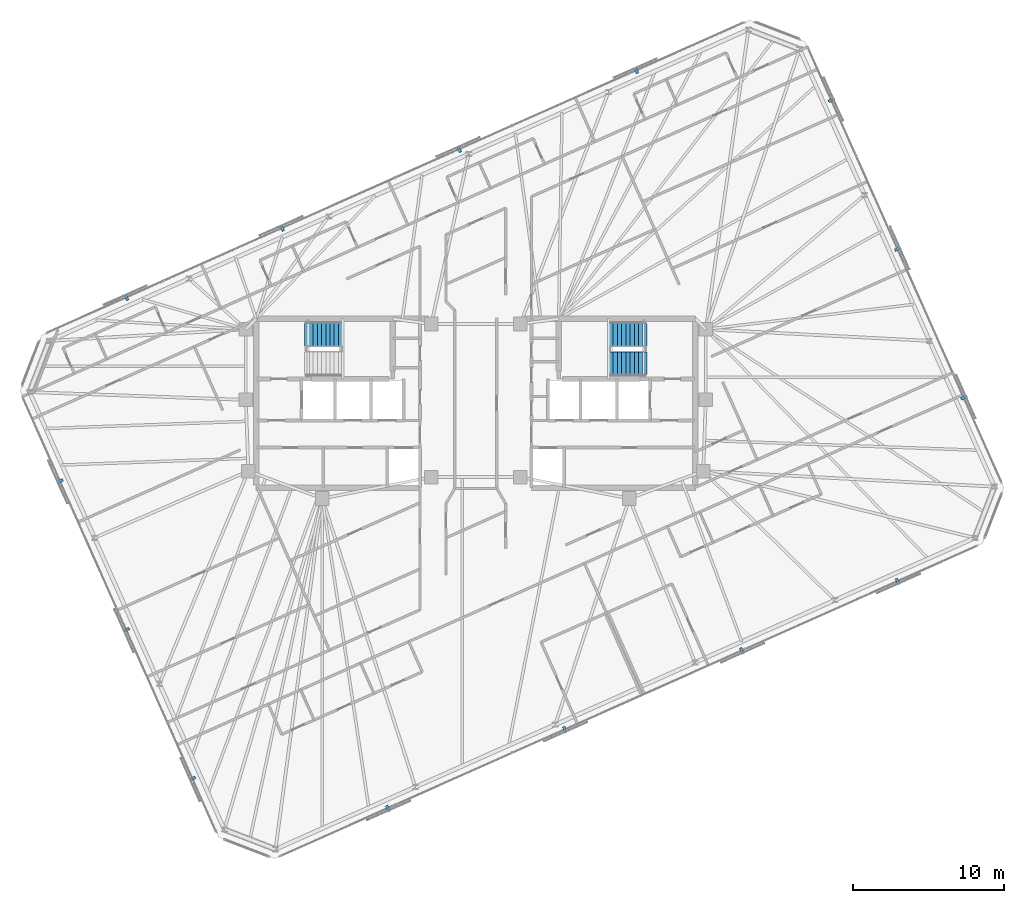
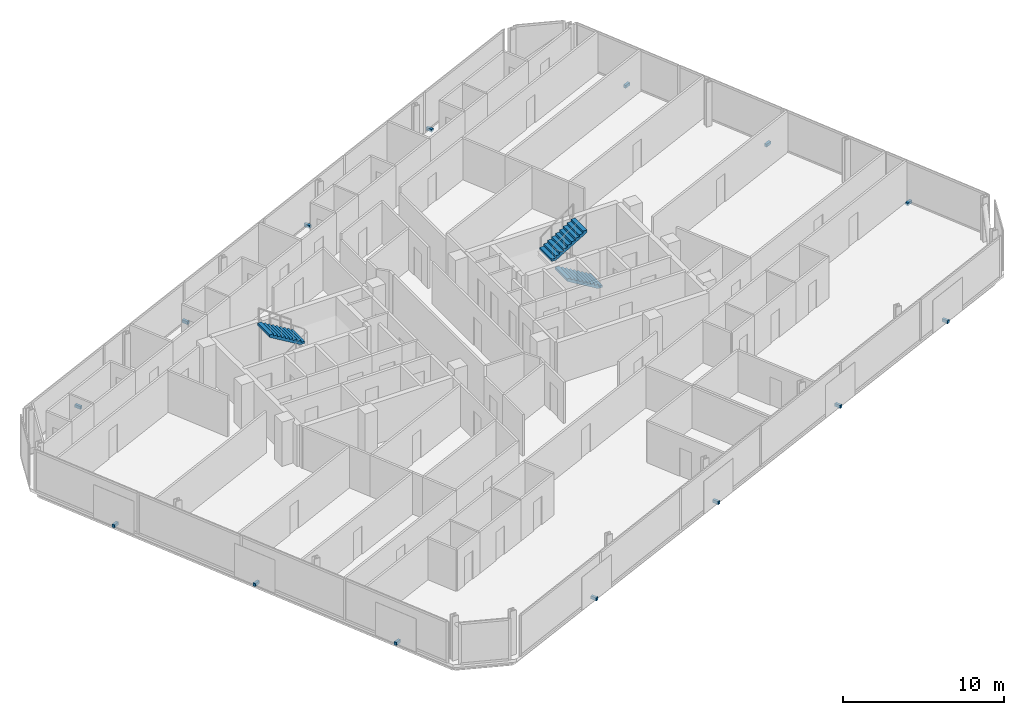
# One storey, part 18 of 19: 14 discrete accessories, 3 stair flights, 2 elements without a shape of their own.
"""IFC4 building model written with IfcOpenShell, lengths in metres."""

from ifc_helpers import new_model, si_unit, direction, frame, origin, origin_2d, place, context, subcontext, project, spatial, polyline, rectangle, outline, extrude, material, type_object, element, aggregate, save


model = new_model("IFC4")

# Units and contexts
model_context = context("Model", 3, precision=1e-05, world=origin(), true_north=direction((0.0, 1.0)))
body_context = subcontext(model_context, "Body", "Model", "MODEL_VIEW")
ifc_project = project(units=[si_unit("LENGTHUNIT", "METRE"), si_unit("AREAUNIT", "SQUARE_METRE"), si_unit("VOLUMEUNIT", "CUBIC_METRE"), si_unit("PLANEANGLEUNIT", "RADIAN"), si_unit("MASSUNIT", "GRAM", prefix="KILO")], contexts=[model_context])

# Site, building, storey
site_placement = place(None, origin())
site = spatial("IfcSite", under=ifc_project, at=site_placement, CompositionType="ELEMENT")
building_placement = place(site_placement, origin())
building = spatial("IfcBuilding", under=site, at=building_placement, Name="Menara Jurai Vektor", CompositionType="ELEMENT")
storey_placement = place(building_placement, frame((0.0, 0.0, 265.550048828125)))
storey = spatial("IfcBuildingStorey", under=building, at=storey_placement, Name="L71", CompositionType="ELEMENT", Elevation=265.550048828125)

# Stair, stair flight
ifc_material_1 = material(Name="Concrete C40/50", Category="concrete")
stair_type = type_object("IfcStairType", Name="STAIR-DOGLEG-1500", PredefinedType="HALF_TURN_STAIR", material=ifc_material_1)
stair_1_placement = place(storey_placement, origin())
stair_1 = element("IfcStair", 1, at=stair_1_placement, inside=storey, type_object=stair_type, Name="Protected Exit Stair ST1 L71", PredefinedType="HALF_TURN_STAIR")
stair_flight_type = type_object("IfcStairFlightType", Name="STAIR-FLIGHT-1500", PredefinedType="STRAIGHT", material=ifc_material_1)
stair_flight_1_placement = place(storey_placement, frame((-8.830078125, 4.550048828125, 1.675048828125), z_axis=(0.0, 0.0, 1.0), x_axis=(-1.0, 0.0, 0.0)))
stair_flight_1 = element("IfcStairFlight", 2, at=stair_flight_1_placement, type_object=stair_flight_type, Name="ST1 flight 2", NumberOfRisers=10, NumberOfTreads=9, PredefinedType="STRAIGHT", RiserHeight=0.1675, TreadLength=0.28, context=body_context, shape_type="SweptSolid", body=[
    extrude(outline(polyline([(0.0, 0.0), (0.0, 0.16748046875), (0.280029296875, 0.16748046875), (0.280029296875, 0.3349609375), (0.56005859375, 0.3349609375), (0.56005859375, 0.50244140625), (0.840087890625, 0.50244140625), (0.840087890625, 0.669921875), (1.1201171875, 0.669921875), (1.1201171875, 0.83740234375), (1.39990234375, 0.83740234375), (1.39990234375, 1.0048828125), (1.679931640625, 1.0048828125), (1.679931640625, 1.172607421875), (1.9599609375, 1.172607421875), (1.9599609375, 1.340087890625), (2.239990234375, 1.340087890625), (2.239990234375, 1.507568359375), (2.52001953125, 1.507568359375), (2.52001953125, 1.675048828125), (2.52001953125, 1.321044921875), (0.3115234375, 0.0), (0.0, 0.0)])), frame((0.0, 0.75, 0.0), z_axis=(0.0, -1.0, 0.0), x_axis=(1.0, 0.0, 0.0)), (0.0, 0.0, 1.0), 1.5),
])
aggregate(stair_1, [stair_flight_1])

# Stair, stair flights
stair_2_placement = place(storey_placement, origin())
stair_2 = element("IfcStair", 3, at=stair_2_placement, inside=storey, type_object=stair_type, Name="Protected Exit Stair ST2 L71", PredefinedType="HALF_TURN_STAIR")
stair_flight_2_placement = place(storey_placement, frame((11.35009765625, 2.64990234375, 0.0), z_axis=(0.0, 0.0, 1.0), x_axis=(-1.0, 0.0, 0.0)))
stair_flight_2 = element("IfcStairFlight", 4, at=stair_flight_2_placement, type_object=stair_flight_type, Name="ST2 flight 1", NumberOfRisers=10, NumberOfTreads=9, PredefinedType="STRAIGHT", RiserHeight=0.1675, TreadLength=0.28, context=body_context, shape_type="SweptSolid", body=[
    extrude(outline(polyline([(0.0, 0.0), (0.0, 0.16748046875), (0.280029296875, 0.16748046875), (0.280029296875, 0.3349609375), (0.56005859375, 0.3349609375), (0.56005859375, 0.50244140625), (0.840087890625, 0.50244140625), (0.840087890625, 0.669921875), (1.1201171875, 0.669921875), (1.1201171875, 0.83740234375), (1.39990234375, 0.83740234375), (1.39990234375, 1.0048828125), (1.679931640625, 1.0048828125), (1.679931640625, 1.172607421875), (1.9599609375, 1.172607421875), (1.9599609375, 1.340087890625), (2.239990234375, 1.340087890625), (2.239990234375, 1.507568359375), (2.52001953125, 1.507568359375), (2.52001953125, 1.675048828125), (2.52001953125, 1.321044921875), (0.3115234375, 0.0), (0.0, 0.0)])), frame((0.0, 0.75, 0.0), z_axis=(0.0, -1.0, 0.0), x_axis=(1.0, 0.0, 0.0)), (0.0, 0.0, 1.0), 1.5),
])
stair_flight_3_placement = place(storey_placement, frame((8.830078125, 4.550048828125, 1.675048828125), z_axis=(0.0, 0.0, 1.0), x_axis=(1.0, 0.0, 0.0)))
stair_flight_3 = element("IfcStairFlight", 5, at=stair_flight_3_placement, type_object=stair_flight_type, Name="ST2 flight 2", NumberOfRisers=10, NumberOfTreads=9, PredefinedType="STRAIGHT", RiserHeight=0.1675, TreadLength=0.28, context=body_context, shape_type="SweptSolid", body=[
    extrude(outline(polyline([(0.0, 0.0), (0.0, 0.16748046875), (0.280029296875, 0.16748046875), (0.280029296875, 0.3349609375), (0.56005859375, 0.3349609375), (0.56005859375, 0.50244140625), (0.840087890625, 0.50244140625), (0.840087890625, 0.669921875), (1.1201171875, 0.669921875), (1.1201171875, 0.83740234375), (1.39990234375, 0.83740234375), (1.39990234375, 1.0048828125), (1.679931640625, 1.0048828125), (1.679931640625, 1.172607421875), (1.9599609375, 1.172607421875), (1.9599609375, 1.340087890625), (2.239990234375, 1.340087890625), (2.239990234375, 1.507568359375), (2.52001953125, 1.507568359375), (2.52001953125, 1.675048828125), (2.52001953125, 1.321044921875), (0.3115234375, 0.0), (0.0, 0.0)])), frame((0.0, 0.75, 0.0), z_axis=(0.0, -1.0, 0.0), x_axis=(1.0, 0.0, 0.0)), (0.0, 0.0, 1.0), 1.5),
])
aggregate(stair_2, [stair_flight_2, stair_flight_3])

# Discrete accessories
ifc_material_2 = material(Name="Steel S355", Category="steel")
discrete_accessory_type = type_object("IfcDiscreteAccessoryType", Name="ENV-ACC-BRACKET", PredefinedType="BRACKET", material=ifc_material_2)
for number, where, z_axis, x_axis, name in (
    (6, (-5.8330078125, -26.87451171875, -0.1298828125), (0.0, 0.0, 1.0), (0.913545457643, 0.406736643076, 0.0), "Solar Screen Stand-Off Bracket L71-S01"),
    (7, (5.906005859375, -21.648193359375, -0.1298828125), (0.0, 0.0, 1.0), (0.913545457643, 0.406736643076, 0.0), "Solar Screen Stand-Off Bracket L71-S02"),
    (8, (17.64501953125, -16.42138671875, -0.1298828125), (0.0, 0.0, 1.0), (0.913545457643, 0.406736643076, 0.0), "Solar Screen Stand-Off Bracket L71-S03"),
    (9, (27.975341796875, -11.822021484375, -0.1298828125), (0.0, 0.0, 1.0), (0.913545457643, 0.406736643076, 0.0), "Solar Screen Stand-Off Bracket L71-S04"),
    (10, (32.376708984375, 0.36572265625, -0.1298828125), (0.0, 0.0, 1.0), (-0.406736643076, 0.913545457643, 0.0), "Solar Screen Stand-Off Bracket L71-S05"),
    (11, (27.98388671875, 10.23193359375, -0.1298828125), (0.0, 0.0, 1.0), (-0.406736643076, 0.913545457643, 0.0), "Solar Screen Stand-Off Bracket L71-S06"),
    (12, (23.59130859375, 20.098388671875, -0.1298828125), (0.0, 0.0, 1.0), (-0.406736643076, 0.913545457643, 0.0), "Solar Screen Stand-Off Bracket L71-S07"),
    (13, (10.633056640625, 22.07470703125, -0.1298828125), (0.0, 0.0, 1.0), (-0.913545457643, -0.406736643076, 0.0), "Solar Screen Stand-Off Bracket L71-S08"),
    (14, (-1.10595703125, 16.84814453125, -0.1298828125), (0.0, 0.0, 1.0), (-0.913545457643, -0.406736643076, 0.0), "Solar Screen Stand-Off Bracket L71-S09"),
    (15, (-12.84521484375, 11.62158203125, -0.1298828125), (0.0, 0.0, 1.0), (-0.913545457643, -0.406736643076, 0.0), "Solar Screen Stand-Off Bracket L71-S10"),
    (16, (-23.17529296875, 7.022216796875, -0.1298828125), (0.0, 0.0, 1.0), (-0.913545457643, -0.406736643076, 0.0), "Solar Screen Stand-Off Bracket L71-S11"),
    (17, (-27.57666015625, -5.165771484375, -0.1298828125), (0.0, 0.0, 1.0), (0.406736643076, -0.913545457643, 0.0), "Solar Screen Stand-Off Bracket L71-S12"),
    (18, (-23.183837890625, -15.031982421875, -0.1298828125), (0.0, 0.0, 1.0), (0.406736643076, -0.913545457643, 0.0), "Solar Screen Stand-Off Bracket L71-S13"),
    (19, (-18.791259765625, -24.898193359375, -0.1298828125), (0.0, 0.0, 1.0), (0.406736643076, -0.913545457643, 0.0), "Solar Screen Stand-Off Bracket L71-S14"),
):
    element("IfcDiscreteAccessory", number, at=place(storey_placement, frame(where, z_axis=z_axis, x_axis=x_axis)), inside=storey, type_object=discrete_accessory_type, Name=name, PredefinedType="BRACKET", context=body_context, shape_type="SweptSolid", body=[
        extrude(rectangle(XDim=0.179931640625, YDim=0.43994140625, at=origin_2d()), origin(), (0.0, 0.0, 1.0), 0.219970703125),
    ])

save(model, "model.ifc")
